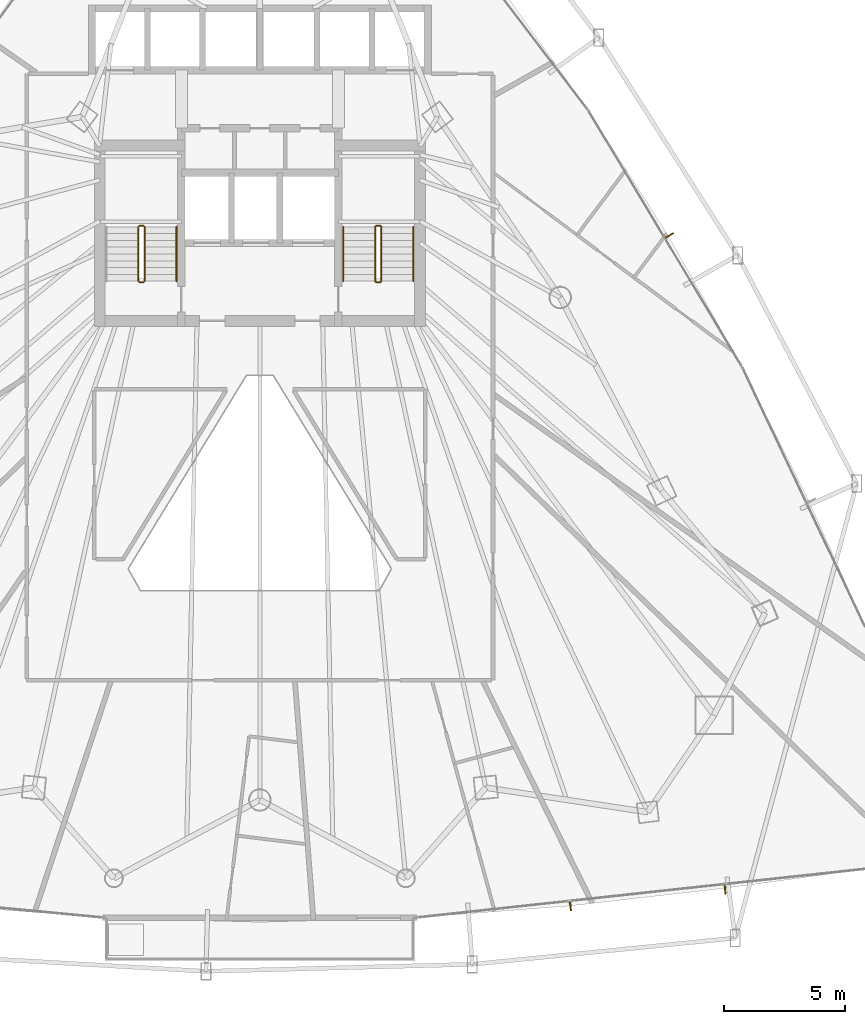
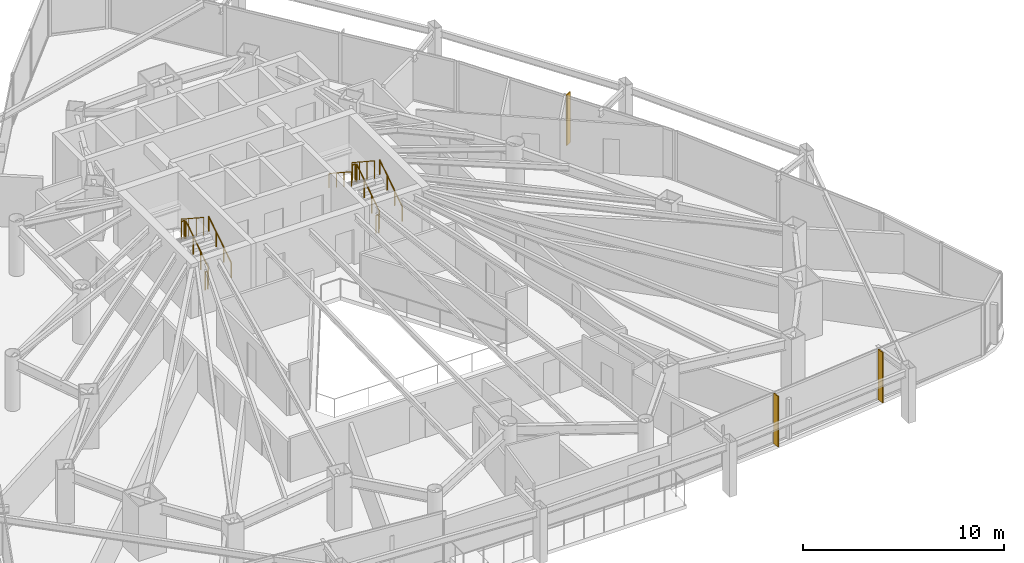
# One storey, part 33 of 34: 11 railings, 3 shading devices.
"""IFC4 building model written with IfcOpenShell, lengths in metres."""

from ifc_helpers import new_model, si_unit, direction, frame, origin, origin_2d, place, context, subcontext, project, spatial, rectangle, circle, extrude, material, layer, layer_set, type_object, element, save


model = new_model("IFC4")

# Units and contexts
model_context = context("Model", 3, precision=1e-05, world=origin(), true_north=direction((0.0, 1.0)))
body_context = subcontext(model_context, "Body", "Model", "MODEL_VIEW")
ifc_project = project(units=[si_unit("LENGTHUNIT", "METRE"), si_unit("AREAUNIT", "SQUARE_METRE"), si_unit("VOLUMEUNIT", "CUBIC_METRE"), si_unit("PLANEANGLEUNIT", "RADIAN"), si_unit("MASSUNIT", "GRAM", prefix="KILO")], contexts=[model_context])

# Site, building, storey
site_placement = place(None, origin())
site = spatial("IfcSite", under=ifc_project, at=site_placement, CompositionType="ELEMENT")
building_placement = place(site_placement, origin())
building = spatial("IfcBuilding", under=site, at=building_placement, Name="Orvanel Arch Residences", CompositionType="ELEMENT")
storey_placement = place(building_placement, frame((0.0, 0.0, 64.25)))
storey = spatial("IfcBuildingStorey", under=building, at=storey_placement, Name="L17", CompositionType="ELEMENT", Elevation=64.25)

# Shading devices
ifc_material_1 = material(Name="Bronze-anodised aluminium AA6063-T6", Category="aluminium")
ifc_layer = layer(ifc_material_1, 0.06005859375)
ifc_layer_set = layer_set([ifc_layer], Name="Bronze-anodised aluminium AA6063-T6")
shading_device_type = type_object("IfcShadingDeviceType", Name="FIN-BRZ-380", PredefinedType="USERDEFINED", material=ifc_layer_set)
for number, where, z_axis, x_axis, name in (
    (1, (45.85595703125, 2.446044921875, 0.0), (0.0, 0.0, 1.0), (0.107999355706, -0.994150963972, 0.0), "L17 Anodised Bronze Mullion FIN 01"),
    (2, (52.256103515625, 3.139892578125, 0.0), (0.0, 0.0, 1.0), (0.107999355706, -0.994150963972, 0.0), "L17 Anodised Bronze Mullion FIN 02"),
    (3, (49.9541015625, 30.208984375, 0.0), (0.0, 0.0, 1.0), (0.857167300702, 0.51503807491, 0.0), "L17 Anodised Bronze Mullion FIN 01"),
):
    element("IfcShadingDevice", number, at=place(storey_placement, frame(where, z_axis=z_axis, x_axis=x_axis)), inside=storey, type_object=shading_device_type, Name=name, ObjectType="FIN", PredefinedType="USERDEFINED", context=body_context, shape_type="SweptSolid", body=[
        extrude(rectangle(XDim=0.3798828125, YDim=0.06005859375, at=origin_2d()), origin(), (0.0, 0.0, 1.0), 3.06005859375),
    ])

# Railings
ifc_material_2 = material(Name="Structural steel AS/NZS 1163 C350L0 (Grade 350)", Category="steel")
railing_type_1 = type_object("IfcRailingType", Name="RL-STAIR-GUARD", PredefinedType="GUARDRAIL", material=ifc_material_2)
railing_1_placement = place(storey_placement, frame((28.22998046875, 28.320068359375, 0.183349609375)))
element("IfcRailing", 4, at=railing_1_placement, inside=storey, type_object=railing_type_1, Name="L17 ST-1 stair guard 1", PredefinedType="GUARDRAIL", context=body_context, shape_type="SweptSolid", body=[
    extrude(circle(Radius=0.02392578125, at=origin_2d()), frame((0.0, 0.001220703125, 1.076904296875), z_axis=(0.0, 0.836636935527, 0.547757827979), x_axis=(-1.0, 0.0, 0.0)), (0.0, 0.0, 1.0), 2.67431640625),
    extrude(circle(Radius=0.02099609375, at=origin_2d()), origin(), (0.0, 0.0, 1.0), 1.050048828125),
    extrude(circle(Radius=0.02099609375, at=origin_2d()), frame((0.0, 0.74658203125, 0.48876953125)), (0.0, 0.0, 1.0), 1.050048828125),
    extrude(circle(Radius=0.02099609375, at=origin_2d()), frame((0.0, 1.493408203125, 0.977783203125)), (0.0, 0.0, 1.0), 1.050048828125),
    extrude(circle(Radius=0.02099609375, at=origin_2d()), frame((0.0, 2.239990234375, 1.466552734375)), (0.0, 0.0, 1.0), 1.050048828125),
])
railing_2_placement = place(storey_placement, frame((28.179931640625, 30.610107421875, 1.64990234375)))
element("IfcRailing", 5, at=railing_2_placement, inside=storey, type_object=railing_type_1, Name="L17 ST-1 stair guard 2", PredefinedType="GUARDRAIL", context=body_context, shape_type="SweptSolid", body=[
    extrude(circle(Radius=0.02392578125, at=origin_2d()), frame((-0.00146484375, 0.0, 1.076171875), z_axis=(-1.0, 0.0, 0.0), x_axis=(0.0, -1.0, 0.0)), (0.0, 0.0, 1.0), 0.156982421875),
    extrude(circle(Radius=0.02099609375, at=origin_2d()), origin(), (0.0, 0.0, 1.0), 1.050048828125),
    extrude(circle(Radius=0.02099609375, at=origin_2d()), frame((-0.159912109375, 0.0, 0.0)), (0.0, 0.0, 1.0), 1.050048828125),
])
railing_3_placement = place(storey_placement, frame((27.969970703125, 30.56005859375, 1.833251953125)))
element("IfcRailing", 6, at=railing_3_placement, inside=storey, type_object=railing_type_1, Name="L17 ST-1 stair guard 3", PredefinedType="GUARDRAIL", context=body_context, shape_type="SweptSolid", body=[
    extrude(circle(Radius=0.02392578125, at=origin_2d()), frame((0.0, -0.001220703125, 1.076904296875), z_axis=(0.0, -0.836595146698, 0.547821650285), x_axis=(1.0, 0.0, 0.0)), (0.0, 0.0, 1.0), 2.674560546875),
    extrude(circle(Radius=0.02099609375, at=origin_2d()), origin(), (0.0, 0.0, 1.0), 1.050048828125),
    extrude(circle(Radius=0.02099609375, at=origin_2d()), frame((0.0, -0.74658203125, 0.489013671875)), (0.0, 0.0, 1.0), 1.050048828125),
    extrude(circle(Radius=0.02099609375, at=origin_2d()), frame((0.0, -1.493408203125, 0.977783203125)), (0.0, 0.0, 1.0), 1.050048828125),
    extrude(circle(Radius=0.02099609375, at=origin_2d()), frame((0.0, -2.239990234375, 1.466796875)), (0.0, 0.0, 1.0), 1.050048828125),
])
railing_4_placement = place(storey_placement, frame((28.179931640625, 28.27001953125, 0.0)))
element("IfcRailing", 7, at=railing_4_placement, inside=storey, type_object=railing_type_1, Name="L17 ST-1 stair guard 4", PredefinedType="GUARDRAIL", context=body_context, shape_type="SweptSolid", body=[
    extrude(circle(Radius=0.02392578125, at=origin_2d()), frame((-0.00146484375, 0.0, 1.076171875), z_axis=(-1.0, 0.0, 0.0), x_axis=(0.0, -1.0, 0.0)), (0.0, 0.0, 1.0), 0.156982421875),
    extrude(circle(Radius=0.02099609375, at=origin_2d()), origin(), (0.0, 0.0, 1.0), 1.050048828125),
    extrude(circle(Radius=0.02099609375, at=origin_2d()), frame((-0.159912109375, 0.0, 0.0)), (0.0, 0.0, 1.0), 1.050048828125),
])
railing_5_placement = place(storey_placement, frame((38.030029296875, 28.320068359375, 0.183349609375)))
element("IfcRailing", 8, at=railing_5_placement, inside=storey, type_object=railing_type_1, Name="L17 ST-2 stair guard 1", PredefinedType="GUARDRAIL", context=body_context, shape_type="SweptSolid", body=[
    extrude(circle(Radius=0.02392578125, at=origin_2d()), frame((0.0, 0.001220703125, 1.076904296875), z_axis=(0.0, 0.836636935527, 0.547757827979), x_axis=(-1.0, 0.0, 0.0)), (0.0, 0.0, 1.0), 2.67431640625),
    extrude(circle(Radius=0.02099609375, at=origin_2d()), origin(), (0.0, 0.0, 1.0), 1.050048828125),
    extrude(circle(Radius=0.02099609375, at=origin_2d()), frame((0.0, 0.74658203125, 0.48876953125)), (0.0, 0.0, 1.0), 1.050048828125),
    extrude(circle(Radius=0.02099609375, at=origin_2d()), frame((0.0, 1.493408203125, 0.977783203125)), (0.0, 0.0, 1.0), 1.050048828125),
    extrude(circle(Radius=0.02099609375, at=origin_2d()), frame((0.0, 2.239990234375, 1.466552734375)), (0.0, 0.0, 1.0), 1.050048828125),
])
railing_6_placement = place(storey_placement, frame((37.97998046875, 30.610107421875, 1.64990234375)))
element("IfcRailing", 9, at=railing_6_placement, inside=storey, type_object=railing_type_1, Name="L17 ST-2 stair guard 2", PredefinedType="GUARDRAIL", context=body_context, shape_type="SweptSolid", body=[
    extrude(circle(Radius=0.02392578125, at=origin_2d()), frame((-0.00146484375, 0.0, 1.076171875), z_axis=(-1.0, 0.0, 0.0), x_axis=(0.0, -1.0, 0.0)), (0.0, 0.0, 1.0), 0.156982421875),
    extrude(circle(Radius=0.02099609375, at=origin_2d()), origin(), (0.0, 0.0, 1.0), 1.050048828125),
    extrude(circle(Radius=0.02099609375, at=origin_2d()), frame((-0.159912109375, 0.0, 0.0)), (0.0, 0.0, 1.0), 1.050048828125),
])
railing_7_placement = place(storey_placement, frame((37.77001953125, 30.56005859375, 1.833251953125)))
element("IfcRailing", 10, at=railing_7_placement, inside=storey, type_object=railing_type_1, Name="L17 ST-2 stair guard 3", PredefinedType="GUARDRAIL", context=body_context, shape_type="SweptSolid", body=[
    extrude(circle(Radius=0.02392578125, at=origin_2d()), frame((0.0, -0.001220703125, 1.076904296875), z_axis=(0.0, -0.836595146698, 0.547821650285), x_axis=(1.0, 0.0, 0.0)), (0.0, 0.0, 1.0), 2.674560546875),
    extrude(circle(Radius=0.02099609375, at=origin_2d()), origin(), (0.0, 0.0, 1.0), 1.050048828125),
    extrude(circle(Radius=0.02099609375, at=origin_2d()), frame((0.0, -0.74658203125, 0.489013671875)), (0.0, 0.0, 1.0), 1.050048828125),
    extrude(circle(Radius=0.02099609375, at=origin_2d()), frame((0.0, -1.493408203125, 0.977783203125)), (0.0, 0.0, 1.0), 1.050048828125),
    extrude(circle(Radius=0.02099609375, at=origin_2d()), frame((0.0, -2.239990234375, 1.466796875)), (0.0, 0.0, 1.0), 1.050048828125),
])
railing_8_placement = place(storey_placement, frame((37.97998046875, 28.27001953125, 0.0)))
element("IfcRailing", 11, at=railing_8_placement, inside=storey, type_object=railing_type_1, Name="L17 ST-2 stair guard 4", PredefinedType="GUARDRAIL", context=body_context, shape_type="SweptSolid", body=[
    extrude(circle(Radius=0.02392578125, at=origin_2d()), frame((-0.00146484375, 0.0, 1.076171875), z_axis=(-1.0, 0.0, 0.0), x_axis=(0.0, -1.0, 0.0)), (0.0, 0.0, 1.0), 0.156982421875),
    extrude(circle(Radius=0.02099609375, at=origin_2d()), origin(), (0.0, 0.0, 1.0), 1.050048828125),
    extrude(circle(Radius=0.02099609375, at=origin_2d()), frame((-0.159912109375, 0.0, 0.0)), (0.0, 0.0, 1.0), 1.050048828125),
])
railing_type_2 = type_object("IfcRailingType", Name="RL-STAIR-HAND", PredefinedType="HANDRAIL", material=ifc_material_2)
for number, where, name in (
    (12, (29.550048828125, 28.320068359375, 0.183349609375), "L17 ST-1 stair handrail 1"),
    (13, (39.35009765625, 28.320068359375, 0.183349609375), "L17 ST-2 stair handrail 1"),
):
    element("IfcRailing", number, at=place(storey_placement, frame(where)), inside=storey, type_object=railing_type_2, Name=name, PredefinedType="HANDRAIL", context=body_context, shape_type="SweptSolid", body=[
        extrude(circle(Radius=0.02392578125, at=origin_2d()), frame((0.0, 0.001220703125, 0.876708984375), z_axis=(0.0, 0.836636935527, 0.547757827979), x_axis=(-1.0, 0.0, 0.0)), (0.0, 0.0, 1.0), 2.67431640625),
        extrude(circle(Radius=0.02099609375, at=origin_2d()), origin(), (0.0, 0.0, 1.0), 0.849853515625),
        extrude(circle(Radius=0.02099609375, at=origin_2d()), frame((0.0, 0.74658203125, 0.48876953125)), (0.0, 0.0, 1.0), 0.849853515625),
        extrude(circle(Radius=0.02099609375, at=origin_2d()), frame((0.0, 1.493408203125, 0.977783203125)), (0.0, 0.0, 1.0), 0.849853515625),
        extrude(circle(Radius=0.02099609375, at=origin_2d()), frame((0.0, 2.239990234375, 1.466552734375)), (0.0, 0.0, 1.0), 0.849853515625),
    ])
railing_9_placement = place(storey_placement, frame((36.449951171875, 30.56005859375, 1.833251953125)))
element("IfcRailing", 14, at=railing_9_placement, inside=storey, type_object=railing_type_2, Name="L17 ST-2 stair handrail 2", PredefinedType="HANDRAIL", context=body_context, shape_type="SweptSolid", body=[
    extrude(circle(Radius=0.02392578125, at=origin_2d()), frame((0.0, -0.001220703125, 0.876708984375), z_axis=(0.0, -0.836595146698, 0.547821650285), x_axis=(1.0, 0.0, 0.0)), (0.0, 0.0, 1.0), 2.674560546875),
    extrude(circle(Radius=0.02099609375, at=origin_2d()), origin(), (0.0, 0.0, 1.0), 0.849853515625),
    extrude(circle(Radius=0.02099609375, at=origin_2d()), frame((0.0, -0.74658203125, 0.489013671875)), (0.0, 0.0, 1.0), 0.849853515625),
    extrude(circle(Radius=0.02099609375, at=origin_2d()), frame((0.0, -1.493408203125, 0.977783203125)), (0.0, 0.0, 1.0), 0.849853515625),
    extrude(circle(Radius=0.02099609375, at=origin_2d()), frame((0.0, -2.239990234375, 1.466796875)), (0.0, 0.0, 1.0), 0.849853515625),
])

save(model, "model.ifc")
